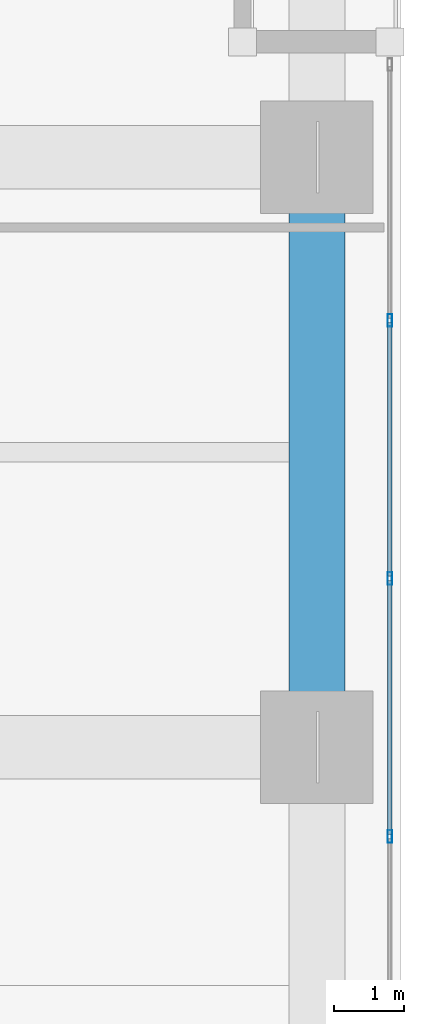
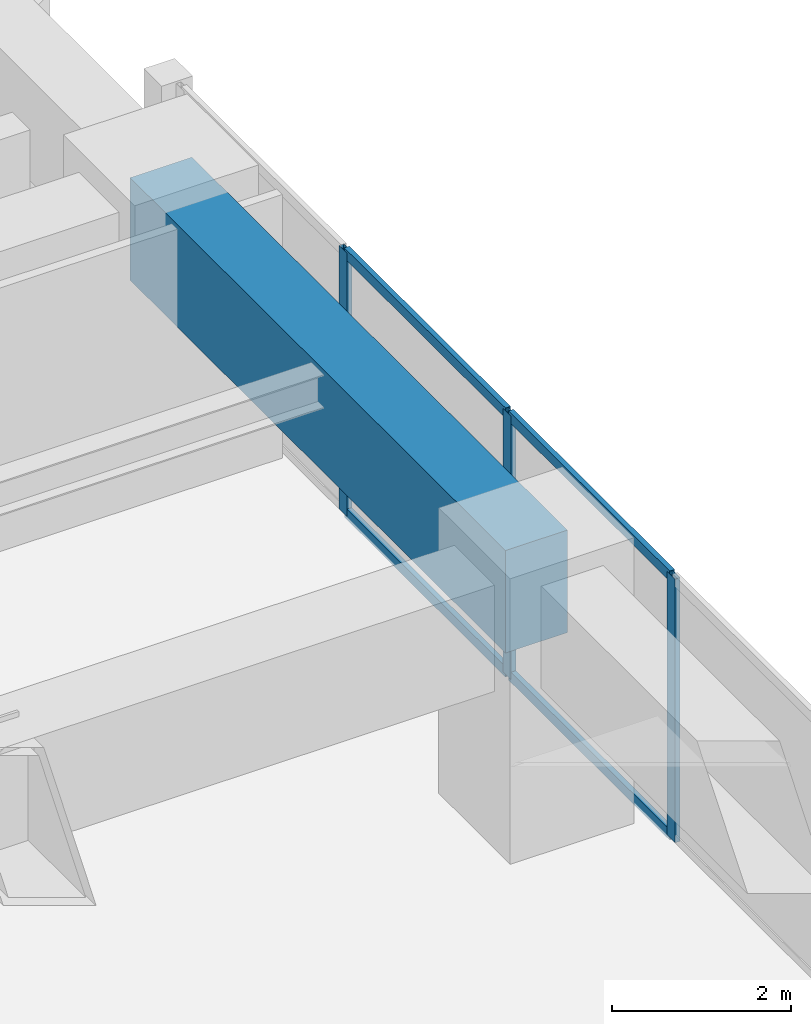
# One storey, part 8 of 28: 7 members, 1 beam, 1 element without a shape of its own.
"""IFC4 building model written with IfcOpenShell, lengths in metres."""

from ifc_helpers import new_model, si_unit, direction, frame, origin, origin_2d, place, context, subcontext, project, spatial, rectangle, hollow_rectangle, extrude, material, layer, layer_set, material_profile, profile_set, type_object, element, aggregate, save


model = new_model("IFC4")

# Units and contexts
model_context = context("Model", 3, precision=1e-05, world=origin(), true_north=direction((0.0, 1.0)))
body_context = subcontext(model_context, "Body", "Model", "MODEL_VIEW")
ifc_project = project(units=[si_unit("LENGTHUNIT", "METRE"), si_unit("AREAUNIT", "SQUARE_METRE"), si_unit("VOLUMEUNIT", "CUBIC_METRE"), si_unit("PLANEANGLEUNIT", "RADIAN"), si_unit("MASSUNIT", "GRAM", prefix="KILO")], contexts=[model_context])

# Site, building, storey
site_placement = place(None, origin())
site = spatial("IfcSite", under=ifc_project, at=site_placement, CompositionType="ELEMENT")
building_placement = place(site_placement, origin())
building = spatial("IfcBuilding", under=site, at=building_placement, Name="Kiyonajd Concourse Tower", CompositionType="ELEMENT")
storey_placement = place(building_placement, frame((0.0, 0.0, 76.800048828125)))
storey = spatial("IfcBuildingStorey", under=building, at=storey_placement, Name="L20", CompositionType="ELEMENT", Elevation=76.800048828125)

# Beam
ifc_material_1 = material(Name="Concrete C60/75", Category="concrete")
ifc_material_profile_1 = material_profile(ifc_material_1, rectangle(XDim=0.800048828125, YDim=1.39990234375, at=origin_2d()), Name="RCBM-800x1400")
ifc_profile_set_1 = profile_set([ifc_material_profile_1], Name="Concrete C60/75")
beam_type = type_object("IfcBeamType", Name="BM-XFER-RC", PredefinedType="BEAM", material=ifc_profile_set_1)
beam_placement = place(storey_placement, frame((78.0, 27.60009765625, 2.9599609375), z_axis=(0.0, 1.0, 0.0), x_axis=(-1.0, 0.0, 0.0)))
element("IfcBeam", 1, at=beam_placement, inside=storey, type_object=beam_type, Name="L20 Perimeter Bundled Tube Spandrel", PredefinedType="BEAM", context=body_context, shape_type="SweptSolid", body=[
    extrude(rectangle(XDim=0.800048828125, YDim=1.39990234375, at=origin_2d()), origin(), (0.0, 0.0, 1.0), 8.39990234375),
])

# Curtain wall, members
ifc_material_2 = material(Name="Thermally Broken Anodised Aluminium", Category="aluminium")
ifc_layer = layer(ifc_material_2, 0.179931640625)
ifc_layer_set = layer_set([ifc_layer], Name="Thermally Broken Anodised Aluminium")
curtain_wall_type = type_object("IfcCurtainWallType", Name="CW-SYS-02", PredefinedType="NOTDEFINED", material=ifc_layer_set)
curtain_wall_placement = place(storey_placement, origin())
curtain_wall = element("IfcCurtainWall", 2, at=curtain_wall_placement, inside=storey, type_object=curtain_wall_type, Name="L20 Unitised Curtain Wall CW2", PredefinedType="NOTDEFINED")
ifc_material_profile_2 = material_profile(ifc_material_2, hollow_rectangle(XDim=0.06494140625, YDim=0.179931640625, WallThickness=0.00390625, at=origin_2d()), Name="MULL-65x180")
ifc_profile_set_2 = profile_set([ifc_material_profile_2], Name="Thermally Broken Anodised Aluminium")
member_type_1 = type_object("IfcMemberType", Name="MB-CW-MULL1", PredefinedType="MULLION", material=ifc_profile_set_2)
member_1_placement = place(storey_placement, frame((79.0400390625, 33.6767578125, 0.0), z_axis=(0.0, 0.0, 1.0), x_axis=(1.0, 0.0, 0.0)))
member_1 = element("IfcMember", 3, at=member_1_placement, type_object=member_type_1, Name="CW2 mullion 2", PredefinedType="MULLION", context=body_context, shape_type="SweptSolid", body=[
    extrude(hollow_rectangle(XDim=0.06494140625, YDim=0.179931640625, WallThickness=0.00390625, at=origin_2d()), origin(), (0.0, 0.0, 1.0), 3.599853515625),
])
member_2_placement = place(storey_placement, frame((79.0400390625, 30.003662109375, 0.0), z_axis=(0.0, 0.0, 1.0), x_axis=(1.0, 0.0, 0.0)))
member_2 = element("IfcMember", 4, at=member_2_placement, type_object=member_type_1, Name="CW2 mullion 3", PredefinedType="MULLION", context=body_context, shape_type="SweptSolid", body=[
    extrude(hollow_rectangle(XDim=0.06494140625, YDim=0.179931640625, WallThickness=0.00390625, at=origin_2d()), origin(), (0.0, 0.0, 1.0), 3.599853515625),
])
member_3_placement = place(storey_placement, frame((79.0400390625, 26.33056640625, 0.0), z_axis=(0.0, 0.0, 1.0), x_axis=(1.0, 0.0, 0.0)))
member_3 = element("IfcMember", 5, at=member_3_placement, type_object=member_type_1, Name="CW2 mullion 4", PredefinedType="MULLION", context=body_context, shape_type="SweptSolid", body=[
    extrude(hollow_rectangle(XDim=0.06494140625, YDim=0.179931640625, WallThickness=0.00390625, at=origin_2d()), origin(), (0.0, 0.0, 1.0), 3.599853515625),
])
ifc_material_profile_3 = material_profile(ifc_material_2, hollow_rectangle(XDim=0.06494140625, YDim=0.139892578125, WallThickness=0.00390625, at=origin_2d()), Name="TRAN-65x140")
ifc_profile_set_3 = profile_set([ifc_material_profile_3], Name="Thermally Broken Anodised Aluminium")
member_type_2 = type_object("IfcMemberType", Name="MB-CW-TRAN1", PredefinedType="USERDEFINED", material=ifc_profile_set_3)
member_4_placement = place(storey_placement, frame((79.0400390625, 33.644287109375, 0.032470703125), z_axis=(0.0, -1.0, 0.0), x_axis=(1.0, 0.0, 0.0)))
member_4 = element("IfcMember", 6, at=member_4_placement, type_object=member_type_2, Name="CW2 transom 2.1", ObjectType="TRANSOM", PredefinedType="USERDEFINED", context=body_context, shape_type="SweptSolid", body=[
    extrude(hollow_rectangle(XDim=0.06494140625, YDim=0.139892578125, WallThickness=0.00390625, at=origin_2d()), origin(), (0.0, 0.0, 1.0), 3.608154296875),
])
member_5_placement = place(storey_placement, frame((79.0400390625, 33.644287109375, 3.5673828125), z_axis=(0.0, -1.0, 0.0), x_axis=(1.0, 0.0, 0.0)))
member_5 = element("IfcMember", 7, at=member_5_placement, type_object=member_type_2, Name="CW2 transom 2.2", ObjectType="TRANSOM", PredefinedType="USERDEFINED", context=body_context, shape_type="SweptSolid", body=[
    extrude(hollow_rectangle(XDim=0.06494140625, YDim=0.139892578125, WallThickness=0.00390625, at=origin_2d()), origin(), (0.0, 0.0, 1.0), 3.608154296875),
])
member_6_placement = place(storey_placement, frame((79.0400390625, 29.97119140625, 0.032470703125), z_axis=(0.0, -1.0, 0.0), x_axis=(1.0, 0.0, 0.0)))
member_6 = element("IfcMember", 8, at=member_6_placement, type_object=member_type_2, Name="CW2 transom 3.1", ObjectType="TRANSOM", PredefinedType="USERDEFINED", context=body_context, shape_type="SweptSolid", body=[
    extrude(hollow_rectangle(XDim=0.06494140625, YDim=0.139892578125, WallThickness=0.00390625, at=origin_2d()), origin(), (0.0, 0.0, 1.0), 3.608154296875),
])
member_7_placement = place(storey_placement, frame((79.0400390625, 29.97119140625, 3.5673828125), z_axis=(0.0, -1.0, 0.0), x_axis=(1.0, 0.0, 0.0)))
member_7 = element("IfcMember", 9, at=member_7_placement, type_object=member_type_2, Name="CW2 transom 3.2", ObjectType="TRANSOM", PredefinedType="USERDEFINED", context=body_context, shape_type="SweptSolid", body=[
    extrude(hollow_rectangle(XDim=0.06494140625, YDim=0.139892578125, WallThickness=0.00390625, at=origin_2d()), origin(), (0.0, 0.0, 1.0), 3.608154296875),
])
aggregate(curtain_wall, [member_1, member_2, member_3, member_4, member_5, member_6, member_7])

save(model, "model.ifc")
